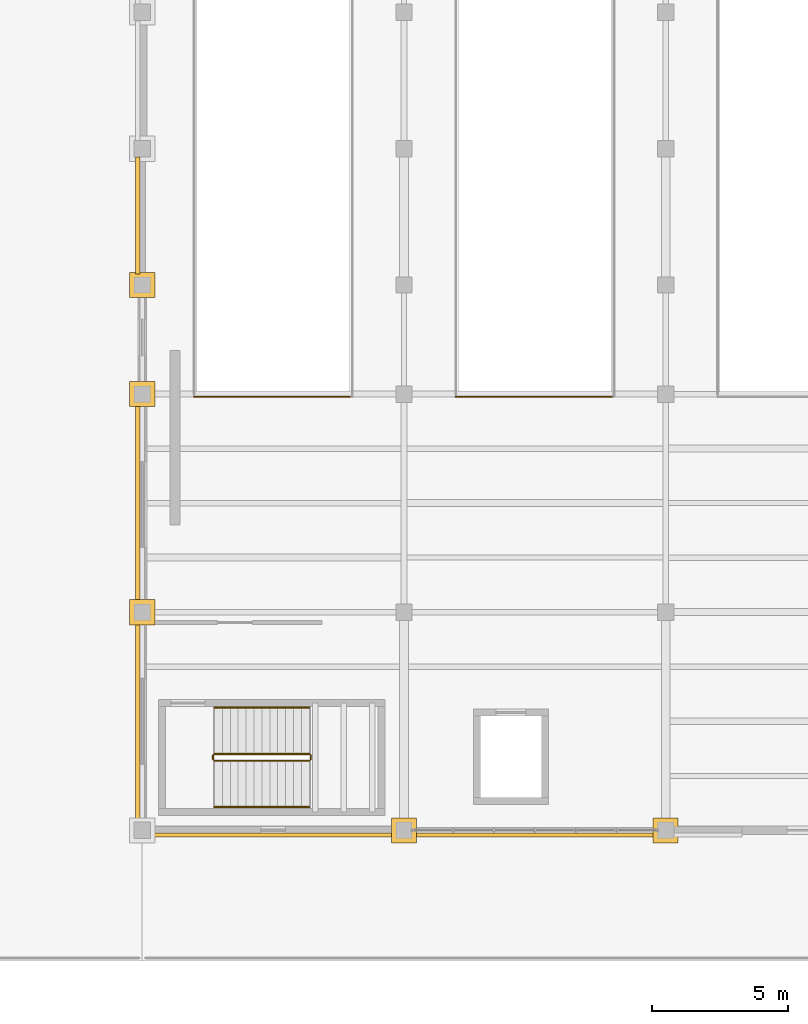
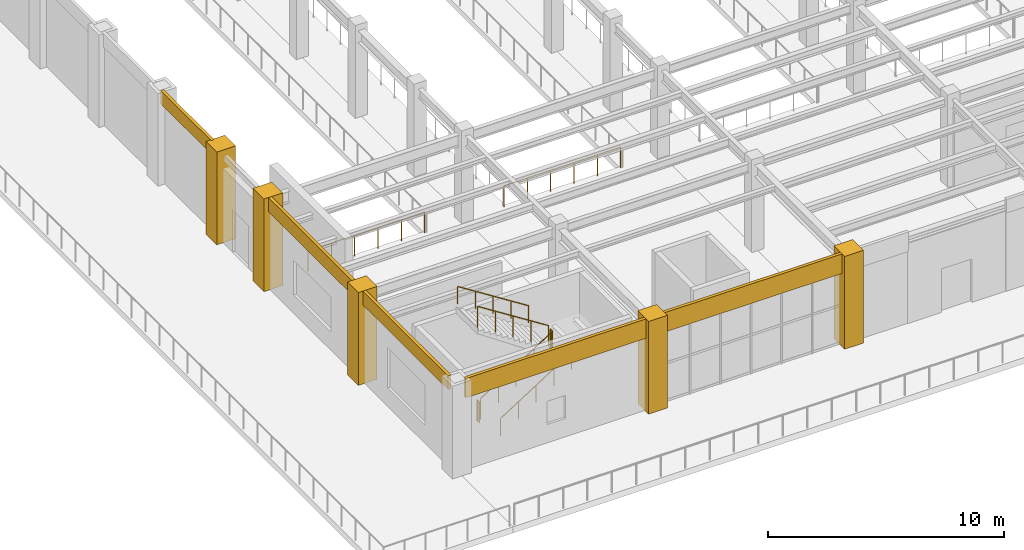
# One storey, part 74 of 83: 10 coverings, 8 railings.
"""IFC4 building model written with IfcOpenShell, lengths in metres."""

from ifc_helpers import new_model, si_unit, direction, frame, origin, origin_2d, place, context, subcontext, project, spatial, polyline, circle, outline, extrude, material, layer, layer_set, type_object, element, save


model = new_model("IFC4")

# Units and contexts
model_context = context("Model", 3, precision=1e-05, world=origin(), true_north=direction((0.0, 1.0)))
body_context = subcontext(model_context, "Body", "Model", "MODEL_VIEW")
ifc_project = project(units=[si_unit("LENGTHUNIT", "METRE"), si_unit("AREAUNIT", "SQUARE_METRE"), si_unit("VOLUMEUNIT", "CUBIC_METRE"), si_unit("PLANEANGLEUNIT", "RADIAN"), si_unit("MASSUNIT", "GRAM", prefix="KILO")], contexts=[model_context])

# Site, building, storey
site_placement = place(None, origin())
site = spatial("IfcSite", under=ifc_project, at=site_placement, CompositionType="ELEMENT")
building_placement = place(site_placement, origin())
building = spatial("IfcBuilding", under=site, at=building_placement, Name="Mavantir Sound Aquarium", CompositionType="ELEMENT")
storey_placement = place(building_placement, frame((0.0, 0.0, 10.5)))
storey = spatial("IfcBuildingStorey", under=building, at=storey_placement, Name="L02", CompositionType="ELEMENT", Elevation=10.5)

# Coverings
ifc_material_1 = material(Name="Honed Coral-Limestone & Glazed Terracotta Rainscreen Cladding", Category="masonry")
ifc_layer = layer(ifc_material_1, 0.06005859375, Name="Honed Coral-Limestone & Glazed Terracotta Rainscreen Cladding")
ifc_layer_set = layer_set([ifc_layer], Name="Honed Coral-Limestone & Glazed Terracotta Rainscreen Cladding")
covering_type = type_object("IfcCoveringType", Name="COV-CLAD-TC", PredefinedType="CLADDING", material=ifc_layer_set)
covering_1_placement = place(storey_placement, frame((0.0, 0.0, 4.10595703125)))
element("IfcCovering", 1, at=covering_1_placement, inside=storey, type_object=covering_type, Name="L02 Postmodern coral-limestone spandrel frieze 362", PredefinedType="CLADDING", context=body_context, shape_type="SweptSolid", body=[
    extrude(outline(polyline([(107.909912109375, 65.491943359375), (107.909912109375, 61.205078125), (107.760009765625, 61.205078125), (107.760009765625, 65.491943359375), (107.909912109375, 65.491943359375)])), origin(), (0.0, 0.0, 1.0), 0.694091796875),
])
covering_2_placement = place(storey_placement, frame((0.0, 0.0, 4.052978515625)))
element("IfcCovering", 2, at=covering_2_placement, inside=storey, type_object=covering_type, Name="L02 Postmodern coral-limestone spandrel frieze 363", PredefinedType="CLADDING", context=body_context, shape_type="SweptSolid", body=[
    extrude(outline(polyline([(107.909912109375, 56.39501953125), (107.909912109375, 49.10791015625), (107.760009765625, 49.10791015625), (107.760009765625, 56.39501953125), (107.909912109375, 56.39501953125)])), origin(), (0.0, 0.0, 1.0), 0.7470703125),
])
covering_3_placement = place(storey_placement, frame((0.0, 0.0, 4.095947265625)))
element("IfcCovering", 3, at=covering_3_placement, inside=storey, type_object=covering_type, Name="L02 Postmodern coral-limestone spandrel frieze 364", PredefinedType="CLADDING", context=body_context, shape_type="SweptSolid", body=[
    extrude(outline(polyline([(107.909912109375, 48.491943359375), (107.909912109375, 41.10791015625), (107.760009765625, 41.10791015625), (107.760009765625, 48.491943359375), (107.909912109375, 48.491943359375)])), origin(), (0.0, 0.0, 1.0), 0.7041015625),
])
covering_4_placement = place(storey_placement, frame((0.0, 0.0, 3.794921875)))
element("IfcCovering", 4, at=covering_4_placement, inside=storey, type_object=covering_type, Name="L02 Postmodern coral-limestone spandrel frieze 365", PredefinedType="CLADDING", context=body_context, shape_type="SweptSolid", body=[
    extrude(outline(polyline([(108.30810546875, 40.7099609375), (117.2919921875, 40.7099609375), (117.2919921875, 40.56005859375), (108.30810546875, 40.56005859375), (108.30810546875, 40.7099609375)])), origin(), (0.0, 0.0, 1.0), 1.005126953125),
])
covering_5_placement = place(storey_placement, frame((0.0, 0.0, 3.794921875)))
element("IfcCovering", 5, at=covering_5_placement, inside=storey, type_object=covering_type, Name="L02 Postmodern coral-limestone spandrel frieze 366", PredefinedType="CLADDING", context=body_context, shape_type="SweptSolid", body=[
    extrude(outline(polyline([(117.907958984375, 40.7099609375), (126.89208984375, 40.7099609375), (126.89208984375, 40.56005859375), (117.907958984375, 40.56005859375), (117.907958984375, 40.7099609375)])), origin(), (0.0, 0.0, 1.0), 1.005126953125),
])
covering_6_placement = place(storey_placement, origin())
element("IfcCovering", 6, at=covering_6_placement, inside=storey, type_object=covering_type, Name="L02 Postmodern coral-limestone pilaster casing 231", PredefinedType="CLADDING", context=body_context, shape_type="SweptSolid", body=[
    extrude(outline(polyline([(107.5400390625, 48.340087890625), (108.4599609375, 48.340087890625), (108.4599609375, 49.260009765625), (107.5400390625, 49.260009765625), (107.5400390625, 48.340087890625)])), origin(), (0.0, 0.0, 1.0), 4.800048828125),
])
covering_7_placement = place(storey_placement, origin())
element("IfcCovering", 7, at=covering_7_placement, inside=storey, type_object=covering_type, Name="L02 Postmodern coral-limestone pilaster casing 233", PredefinedType="CLADDING", context=body_context, shape_type="SweptSolid", body=[
    extrude(outline(polyline([(107.5400390625, 56.340087890625), (108.4599609375, 56.340087890625), (108.4599609375, 57.260009765625), (107.5400390625, 57.260009765625), (107.5400390625, 56.340087890625)])), origin(), (0.0, 0.0, 1.0), 4.800048828125),
])
covering_8_placement = place(storey_placement, origin())
element("IfcCovering", 8, at=covering_8_placement, inside=storey, type_object=covering_type, Name="L02 Postmodern coral-limestone pilaster casing 235", PredefinedType="CLADDING", context=body_context, shape_type="SweptSolid", body=[
    extrude(outline(polyline([(107.5400390625, 60.340087890625), (108.4599609375, 60.340087890625), (108.4599609375, 61.260009765625), (107.5400390625, 61.260009765625), (107.5400390625, 60.340087890625)])), origin(), (0.0, 0.0, 1.0), 4.800048828125),
])
covering_9_placement = place(storey_placement, origin())
element("IfcCovering", 9, at=covering_9_placement, inside=storey, type_object=covering_type, Name="L02 Postmodern coral-limestone pilaster casing 253", PredefinedType="CLADDING", context=body_context, shape_type="SweptSolid", body=[
    extrude(outline(polyline([(117.139892578125, 40.340087890625), (118.06005859375, 40.340087890625), (118.06005859375, 41.260009765625), (117.139892578125, 41.260009765625), (117.139892578125, 40.340087890625)])), origin(), (0.0, 0.0, 1.0), 4.800048828125),
])
covering_10_placement = place(storey_placement, origin())
element("IfcCovering", 10, at=covering_10_placement, inside=storey, type_object=covering_type, Name="L02 Postmodern coral-limestone pilaster casing 265", PredefinedType="CLADDING", context=body_context, shape_type="SweptSolid", body=[
    extrude(outline(polyline([(126.739990234375, 40.340087890625), (127.659912109375, 40.340087890625), (127.659912109375, 41.260009765625), (126.739990234375, 41.260009765625), (126.739990234375, 40.340087890625)])), origin(), (0.0, 0.0, 1.0), 4.800048828125),
])

# Railings
ifc_material_2 = material(Name="Stainless Steel 316 and Laminated Glass Guardrail", Category="steel")
railing_type_1 = type_object("IfcRailingType", Name="RL-GUARD-110", PredefinedType="GUARDRAIL", material=ifc_material_2)
railing_1_placement = place(storey_placement, frame((109.89990234375, 56.699951171875, 0.0)))
element("IfcRailing", 11, at=railing_1_placement, inside=storey, type_object=railing_type_1, Name="L02 atrium void S guardrail 127", PredefinedType="GUARDRAIL", context=body_context, shape_type="SweptSolid", body=[
    extrude(circle(Radius=0.02392578125, at=origin_2d()), frame((0.0, 0.0, 1.076171875), z_axis=(1.0, 0.0, 0.0), x_axis=(0.0, 1.0, 0.0)), (0.0, 0.0, 1.0), 5.72021484375),
    extrude(circle(Radius=0.02099609375, at=origin_2d()), origin(), (0.0, 0.0, 1.0), 1.052001953125),
    extrude(circle(Radius=0.02099609375, at=origin_2d()), frame((1.14404296875, 0.0, 0.0)), (0.0, 0.0, 1.0), 1.052001953125),
    extrude(circle(Radius=0.02099609375, at=origin_2d()), frame((2.2880859375, 0.0, 0.0)), (0.0, 0.0, 1.0), 1.052001953125),
    extrude(circle(Radius=0.02099609375, at=origin_2d()), frame((3.43212890625, 0.0, 0.0)), (0.0, 0.0, 1.0), 1.052001953125),
    extrude(circle(Radius=0.02099609375, at=origin_2d()), frame((4.576171875, 0.0, 0.0)), (0.0, 0.0, 1.0), 1.052001953125),
    extrude(circle(Radius=0.02099609375, at=origin_2d()), frame((5.72021484375, 0.0, 0.0)), (0.0, 0.0, 1.0), 1.052001953125),
])
railing_2_placement = place(storey_placement, frame((119.5, 56.699951171875, 0.0)))
element("IfcRailing", 12, at=railing_2_placement, inside=storey, type_object=railing_type_1, Name="L02 atrium void S guardrail 131", PredefinedType="GUARDRAIL", context=body_context, shape_type="SweptSolid", body=[
    extrude(circle(Radius=0.02392578125, at=origin_2d()), frame((0.0, 0.0, 1.076171875), z_axis=(1.0, 0.0, 0.0), x_axis=(0.0, 1.0, 0.0)), (0.0, 0.0, 1.0), 5.719970703125),
    extrude(circle(Radius=0.02099609375, at=origin_2d()), origin(), (0.0, 0.0, 1.0), 1.052001953125),
    extrude(circle(Radius=0.02099609375, at=origin_2d()), frame((1.14404296875, 0.0, 0.0)), (0.0, 0.0, 1.0), 1.052001953125),
    extrude(circle(Radius=0.02099609375, at=origin_2d()), frame((2.2880859375, 0.0, 0.0)), (0.0, 0.0, 1.0), 1.052001953125),
    extrude(circle(Radius=0.02099609375, at=origin_2d()), frame((3.431884765625, 0.0, 0.0)), (0.0, 0.0, 1.0), 1.052001953125),
    extrude(circle(Radius=0.02099609375, at=origin_2d()), frame((4.575927734375, 0.0, 0.0)), (0.0, 0.0, 1.0), 1.052001953125),
    extrude(circle(Radius=0.02099609375, at=origin_2d()), frame((5.719970703125, 0.0, 0.0)), (0.0, 0.0, 1.0), 1.052001953125),
])
railing_3_placement = place(storey_placement, frame((110.64990234375, 43.35009765625, 0.1845703125)))
element("IfcRailing", 13, at=railing_3_placement, inside=storey, type_object=railing_type_1, Name="L02 ST4 stair guard 1", PredefinedType="GUARDRAIL", context=body_context, shape_type="SweptSolid", body=[
    extrude(circle(Radius=0.02392578125, at=origin_2d()), frame((0.0, 0.0, 1.076171875), z_axis=(0.843573748531, 0.0, 0.537013343214), x_axis=(0.0, 1.0, 0.0)), (0.0, 0.0, 1.0), 4.125244140625),
    extrude(circle(Radius=0.02099609375, at=origin_2d()), origin(), (0.0, 0.0, 1.0), 1.052001953125),
    extrude(circle(Radius=0.02099609375, at=origin_2d()), frame((0.8701171875, 0.0, 0.5537109375)), (0.0, 0.0, 1.0), 1.052001953125),
    extrude(circle(Radius=0.02099609375, at=origin_2d()), frame((1.739990234375, 0.0, 1.107666015625)), (0.0, 0.0, 1.0), 1.052001953125),
    extrude(circle(Radius=0.02099609375, at=origin_2d()), frame((2.60986328125, 0.0, 1.66162109375)), (0.0, 0.0, 1.0), 1.052001953125),
    extrude(circle(Radius=0.02099609375, at=origin_2d()), frame((3.47998046875, 0.0, 2.21533203125)), (0.0, 0.0, 1.0), 1.052001953125),
])
railing_4_placement = place(storey_placement, frame((114.179931640625, 43.39990234375, 2.39990234375)))
element("IfcRailing", 14, at=railing_4_placement, inside=storey, type_object=railing_type_1, Name="L02 ST4 stair guard 2", PredefinedType="GUARDRAIL", context=body_context, shape_type="SweptSolid", body=[
    extrude(circle(Radius=0.02392578125, at=origin_2d()), frame((0.0, 0.0, 1.076171875), z_axis=(0.0, 1.0, 0.0), x_axis=(-1.0, 0.0, 0.0)), (0.0, 0.0, 1.0), 0.150146484375),
    extrude(circle(Radius=0.02099609375, at=origin_2d()), origin(), (0.0, 0.0, 1.0), 1.052001953125),
    extrude(circle(Radius=0.02099609375, at=origin_2d()), frame((0.0, 0.150146484375, 0.0)), (0.0, 0.0, 1.0), 1.052001953125),
])
railing_5_placement = place(storey_placement, frame((114.1298828125, 43.60009765625, 2.584716796875)))
element("IfcRailing", 15, at=railing_5_placement, inside=storey, type_object=railing_type_1, Name="L02 ST4 stair guard 3", PredefinedType="GUARDRAIL", context=body_context, shape_type="SweptSolid", body=[
    extrude(circle(Radius=0.02392578125, at=origin_2d()), frame((0.0, 0.0, 1.076171875), z_axis=(-0.843573748531, 0.0, 0.537013343214), x_axis=(0.0, -1.0, 0.0)), (0.0, 0.0, 1.0), 4.125244140625),
    extrude(circle(Radius=0.02099609375, at=origin_2d()), origin(), (0.0, 0.0, 1.0), 1.052001953125),
    extrude(circle(Radius=0.02099609375, at=origin_2d()), frame((-0.8701171875, 0.0, 0.5537109375)), (0.0, 0.0, 1.0), 1.052001953125),
    extrude(circle(Radius=0.02099609375, at=origin_2d()), frame((-1.739990234375, 0.0, 1.107666015625)), (0.0, 0.0, 1.0), 1.052001953125),
    extrude(circle(Radius=0.02099609375, at=origin_2d()), frame((-2.60986328125, 0.0, 1.66162109375)), (0.0, 0.0, 1.0), 1.052001953125),
    extrude(circle(Radius=0.02099609375, at=origin_2d()), frame((-3.47998046875, 0.0, 2.21533203125)), (0.0, 0.0, 1.0), 1.052001953125),
])
railing_6_placement = place(storey_placement, frame((110.60009765625, 43.39990234375, 0.0)))
element("IfcRailing", 16, at=railing_6_placement, inside=storey, type_object=railing_type_1, Name="L02 ST4 stair guard 4", PredefinedType="GUARDRAIL", context=body_context, shape_type="SweptSolid", body=[
    extrude(circle(Radius=0.02392578125, at=origin_2d()), frame((0.0, 0.0, 1.076171875), z_axis=(0.0, 1.0, 0.0), x_axis=(-1.0, 0.0, 0.0)), (0.0, 0.0, 1.0), 0.150146484375),
    extrude(circle(Radius=0.02099609375, at=origin_2d()), origin(), (0.0, 0.0, 1.0), 1.052001953125),
    extrude(circle(Radius=0.02099609375, at=origin_2d()), frame((0.0, 0.150146484375, 0.0)), (0.0, 0.0, 1.0), 1.052001953125),
])
ifc_material_3 = material(Name="Brushed Stainless Steel 316 Handrail", Category="steel")
railing_type_2 = type_object("IfcRailingType", Name="RL-HR-90", PredefinedType="HANDRAIL", material=ifc_material_3)
railing_7_placement = place(storey_placement, frame((110.64990234375, 41.64990234375, 0.36962890625)))
element("IfcRailing", 17, at=railing_7_placement, inside=storey, type_object=railing_type_2, Name="L02 ST4 stair handrail 1", PredefinedType="HANDRAIL", context=body_context, shape_type="SweptSolid", body=[
    extrude(circle(Radius=0.02392578125, at=origin_2d()), frame((0.0, 0.0, 0.89111328125), z_axis=(0.843573748531, 0.0, 0.537013343214), x_axis=(0.0, 1.0, 0.0)), (0.0, 0.0, 1.0), 4.125244140625),
    extrude(circle(Radius=0.02099609375, at=origin_2d()), origin(), (0.0, 0.0, 1.0), 0.866943359375),
    extrude(circle(Radius=0.02099609375, at=origin_2d()), frame((0.8701171875, 0.0, 0.5537109375)), (0.0, 0.0, 1.0), 0.866943359375),
    extrude(circle(Radius=0.02099609375, at=origin_2d()), frame((1.739990234375, 0.0, 1.107666015625)), (0.0, 0.0, 1.0), 0.866943359375),
    extrude(circle(Radius=0.02099609375, at=origin_2d()), frame((2.60986328125, 0.0, 1.66162109375)), (0.0, 0.0, 1.0), 0.866943359375),
    extrude(circle(Radius=0.02099609375, at=origin_2d()), frame((3.47998046875, 0.0, 2.21533203125)), (0.0, 0.0, 1.0), 0.866943359375),
])
railing_8_placement = place(storey_placement, frame((114.1298828125, 45.300048828125, 2.76953125)))
element("IfcRailing", 18, at=railing_8_placement, inside=storey, type_object=railing_type_2, Name="L02 ST4 stair handrail 2", PredefinedType="HANDRAIL", context=body_context, shape_type="SweptSolid", body=[
    extrude(circle(Radius=0.02392578125, at=origin_2d()), frame((0.0, 0.0, 0.89111328125), z_axis=(-0.843546938479, 0.0, 0.53705545578), x_axis=(0.0, -1.0, 0.0)), (0.0, 0.0, 1.0), 4.12548828125),
    extrude(circle(Radius=0.02099609375, at=origin_2d()), origin(), (0.0, 0.0, 1.0), 0.866943359375),
    extrude(circle(Radius=0.02099609375, at=origin_2d()), frame((-0.8701171875, 0.0, 0.553955078125)), (0.0, 0.0, 1.0), 0.866943359375),
    extrude(circle(Radius=0.02099609375, at=origin_2d()), frame((-1.739990234375, 0.0, 1.10791015625)), (0.0, 0.0, 1.0), 0.866943359375),
    extrude(circle(Radius=0.02099609375, at=origin_2d()), frame((-2.60986328125, 0.0, 1.66162109375)), (0.0, 0.0, 1.0), 0.866943359375),
    extrude(circle(Radius=0.02099609375, at=origin_2d()), frame((-3.47998046875, 0.0, 2.215576171875)), (0.0, 0.0, 1.0), 0.866943359375),
])

save(model, "model.ifc")
